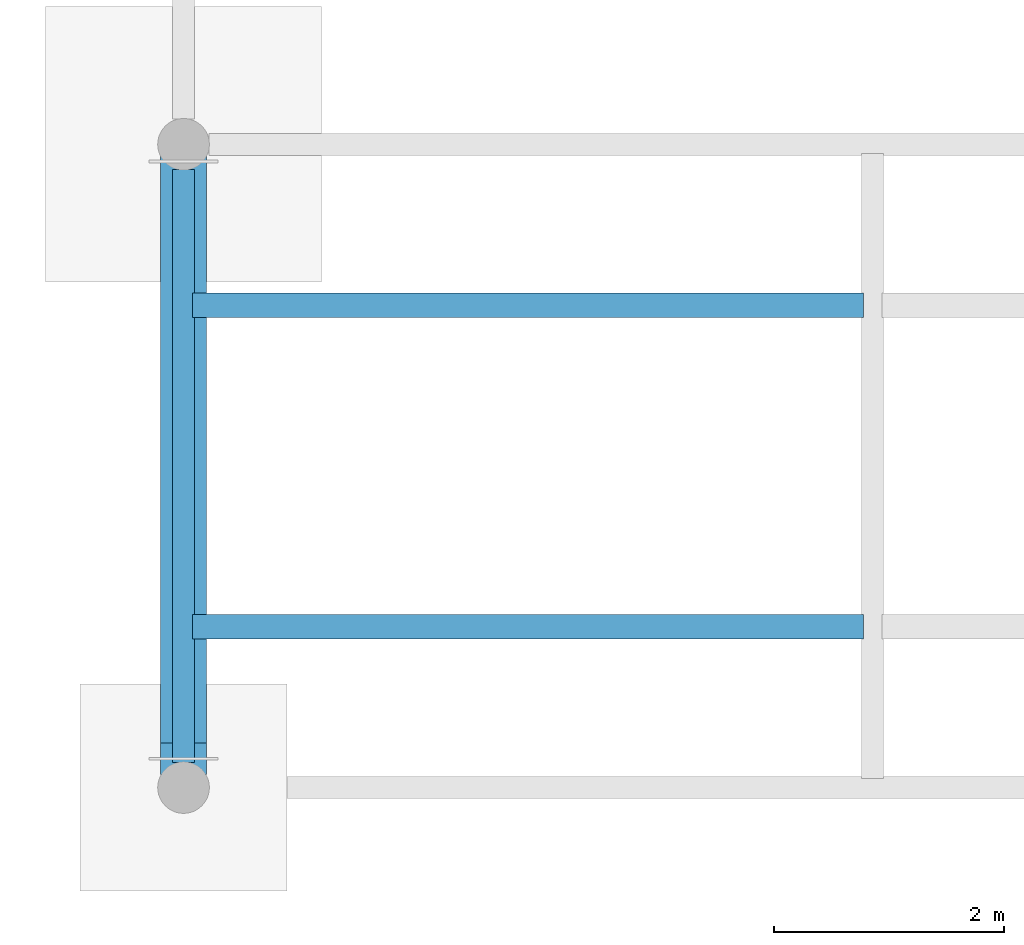
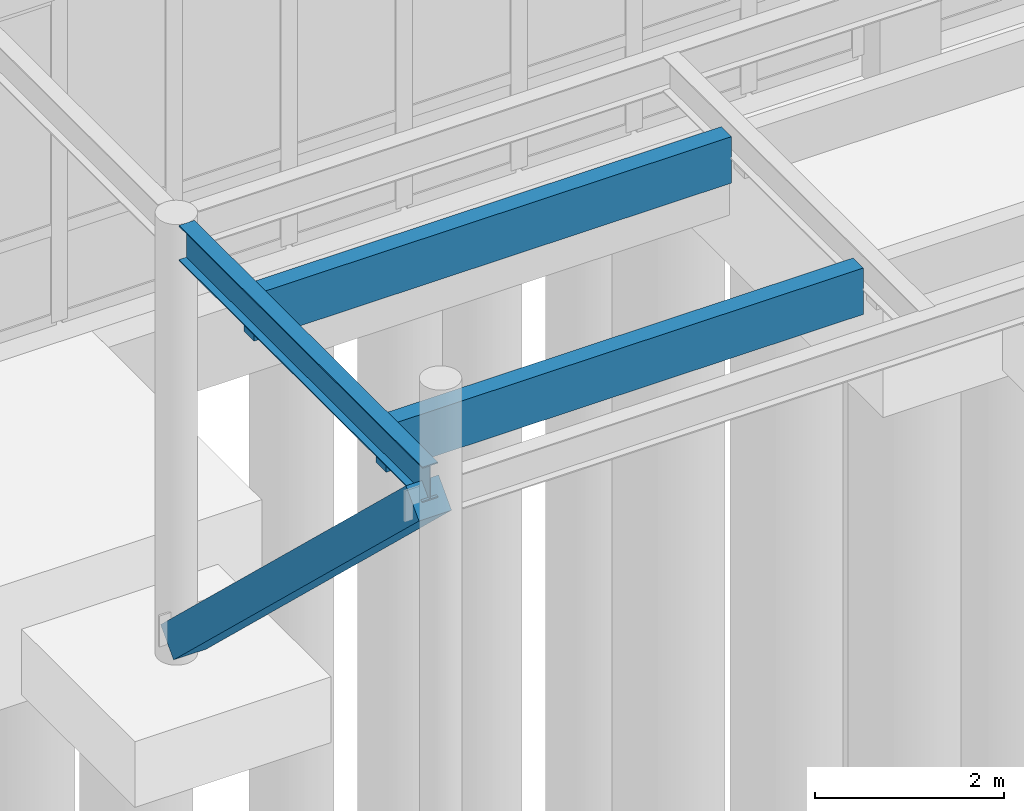
# One storey, part 35 of 188: 3 members, 1 beam.
"""IFC4 building model written with IfcOpenShell, lengths in metres."""

from ifc_helpers import new_model, si_unit, direction, frame, origin, origin_2d, place, context, subcontext, project, spatial, rectangle, i_section, extrude, material, material_profile, profile_set, type_object, element, save


model = new_model("IFC4")

# Units and contexts
model_context = context("Model", 3, precision=1e-05, world=origin(), true_north=direction((0.0, 1.0)))
body_context = subcontext(model_context, "Body", "Model", "MODEL_VIEW")
ifc_project = project(units=[si_unit("LENGTHUNIT", "METRE"), si_unit("AREAUNIT", "SQUARE_METRE"), si_unit("VOLUMEUNIT", "CUBIC_METRE"), si_unit("PLANEANGLEUNIT", "RADIAN"), si_unit("MASSUNIT", "GRAM", prefix="KILO")], contexts=[model_context])

# Site, building, storey
site_placement = place(None, origin())
site = spatial("IfcSite", under=ifc_project, at=site_placement, CompositionType="ELEMENT")
building_placement = place(site_placement, origin())
building = spatial("IfcBuilding", under=site, at=building_placement, Name="Pandanus Reach Market Hall", CompositionType="ELEMENT")
storey_placement = place(building_placement, origin())
storey = spatial("IfcBuildingStorey", under=building, at=storey_placement, Name="L00", CompositionType="ELEMENT", Elevation=0.0)

# Beam
ifc_material_1 = material(Name="Steel Grade 350 (350 MPa)", Category="steel")
ifc_material_profile_1 = material_profile(ifc_material_1, i_section(OverallWidth=0.18994140625, OverallDepth=0.45703125, WebThickness=0.009033203125, FlangeThickness=0.014404296875, at=origin_2d()), Name="460UB74.6", Category="LoadBearing")
ifc_profile_set_1 = profile_set([ifc_material_profile_1], Name="Steel Grade 350 (350 MPa)")
beam_type = type_object("IfcBeamType", Name="BM-UB460-E", PredefinedType="BEAM", material=ifc_profile_set_1)
beam_placement = place(storey_placement, frame((60.0, 17.820068359375, 5.169921875), z_axis=(0.0, 1.0, 0.0), x_axis=(-1.0, 0.0, 0.0)))
element("IfcBeam", 1, at=beam_placement, inside=storey, type_object=beam_type, Name="Forecourt canopy beam C1A", PredefinedType="BEAM", context=body_context, shape_type="SweptSolid", body=[
    extrude(i_section(OverallWidth=0.18994140625, OverallDepth=0.45703125, WebThickness=0.009033203125, FlangeThickness=0.014404296875, at=origin_2d()), origin(), (0.0, 0.0, 1.0), 5.159912109375),
])

# Members
ifc_material_2 = material(Name="Glulam timber GL17", Category="wood")
ifc_material_profile_2 = material_profile(ifc_material_2, rectangle(XDim=0.215087890625, YDim=0.60009765625, at=origin_2d()), Name="GL215x600", Category="LoadBearing")
ifc_profile_set_2 = profile_set([ifc_material_profile_2], Name="Glulam timber GL17")
member_type_1 = type_object("IfcMemberType", Name="PR-GL215-E", PredefinedType="PURLIN", material=ifc_profile_set_2)
for number, where, z_axis, x_axis, name in (
    (2, (60.080078125, 19.0, 4.919921875), (1.0, 0.0, 0.0), (0.0, 1.0, 0.0), "Canopy glulam purlin C1W"),
    (3, (60.080078125, 21.800048828125, 4.919921875), (1.0, 0.0, 0.0), (0.0, 1.0, 0.0), "Canopy glulam purlin C1W"),
):
    element("IfcMember", number, at=place(storey_placement, frame(where, z_axis=z_axis, x_axis=x_axis)), inside=storey, type_object=member_type_1, Name=name, PredefinedType="PURLIN", context=body_context, shape_type="SweptSolid", body=[
        extrude(rectangle(XDim=0.215087890625, YDim=0.60009765625, at=origin_2d()), origin(), (0.0, 0.0, 1.0), 5.83984375),
    ])
ifc_material_3 = material(Name="Concrete N50 (50 MPa)", Category="concrete")
ifc_material_profile_3 = material_profile(ifc_material_3, rectangle(XDim=0.39990234375, YDim=0.39990234375, at=origin_2d()), Name="RC400x400", Category="LoadBearing")
ifc_profile_set_3 = profile_set([ifc_material_profile_3], Name="Concrete N50 (50 MPa)")
member_type_2 = type_object("IfcMemberType", Name="VS-RC400-E", PredefinedType="STRUT", material=ifc_profile_set_3)
member_placement = place(storey_placement, frame((60.0, 23.050048828125, 0.0), z_axis=(0.0, -0.724303696682, 0.689481076587), x_axis=(1.0, 0.0, 0.0)))
element("IfcMember", 4, at=member_placement, inside=storey, type_object=member_type_2, Name="Forecourt canopy splayed V-strut C1", PredefinedType="STRUT", context=body_context, shape_type="SweptSolid", body=[
    extrude(rectangle(XDim=0.39990234375, YDim=0.39990234375, at=origin_2d()), origin(), (0.0, 0.0, 1.0), 7.17919921875),
])

save(model, "model.ifc")
